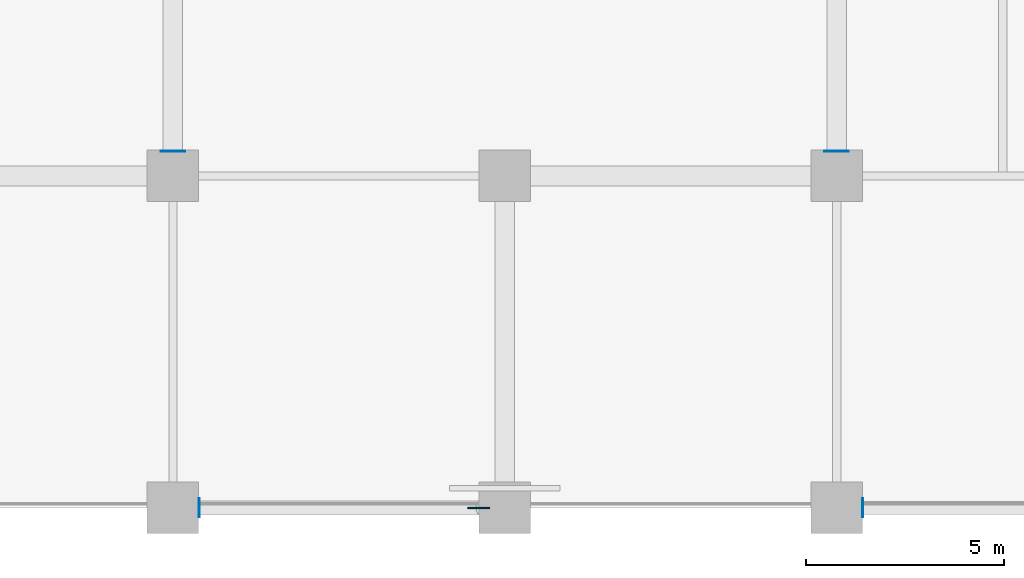
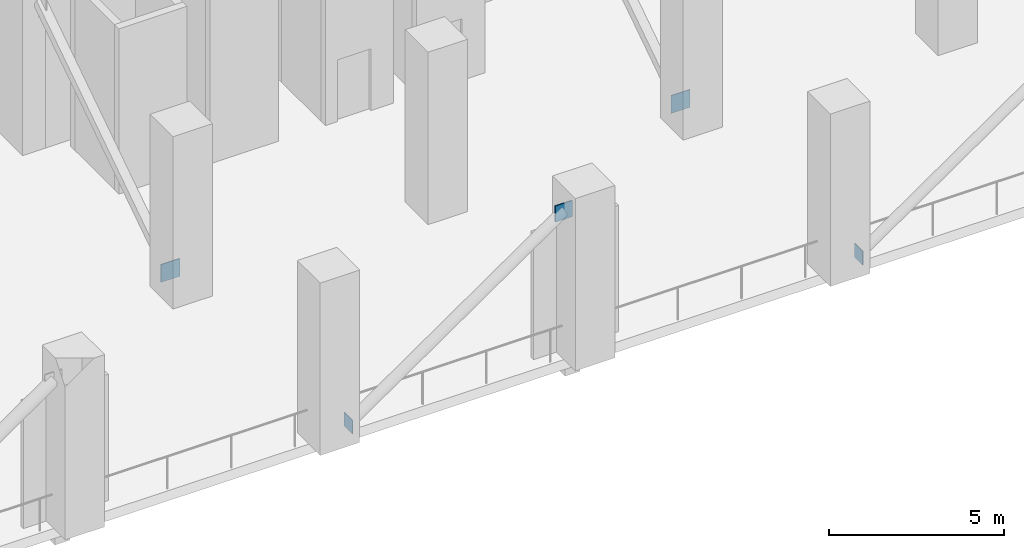
# One storey, part 7 of 19: 5 plates.
"""IFC4 building model written with IfcOpenShell, lengths in metres."""

from ifc_helpers import new_model, si_unit, direction, frame, origin, origin_2d, place, context, subcontext, project, spatial, rectangle, extrude, material, layer, layer_set, type_object, element, save


model = new_model("IFC4")

# Units and contexts
model_context = context("Model", 3, precision=1e-05, world=origin(), true_north=direction((0.0, 1.0)))
body_context = subcontext(model_context, "Body", "Model", "MODEL_VIEW")
ifc_project = project(units=[si_unit("LENGTHUNIT", "METRE"), si_unit("AREAUNIT", "SQUARE_METRE"), si_unit("VOLUMEUNIT", "CUBIC_METRE"), si_unit("PLANEANGLEUNIT", "RADIAN"), si_unit("MASSUNIT", "GRAM", prefix="KILO")], contexts=[model_context])

# Site, building, storey
site_placement = place(None, origin())
site = spatial("IfcSite", under=ifc_project, at=site_placement, CompositionType="ELEMENT")
building_placement = place(site_placement, origin())
building = spatial("IfcBuilding", under=site, at=building_placement, Name="Koriwani Terraces Tower", CompositionType="ELEMENT")
storey_placement = place(building_placement, frame((0.0, 0.0, 94.0)))
storey = spatial("IfcBuildingStorey", under=building, at=storey_placement, Name="L22", CompositionType="ELEMENT", Elevation=94.0)

# Plates
ifc_material = material(Name="Steel ASTM A572 Grade 50", Category="steel")
ifc_layer_1 = layer(ifc_material, 0.02490234375, Name="Steel ASTM A572 Grade 50")
ifc_layer_set_1 = layer_set([ifc_layer_1], Name="Steel ASTM A572 Grade 50")
plate_type_1 = type_object("IfcPlateType", Name="STEEL_CAP_PLATE_25", PredefinedType="USERDEFINED", material=ifc_layer_set_1)
for number, where, z_axis, x_axis, name in (
    (1, (42.0, 9.030029296875, 0.0400390625), (0.0, 0.0, 1.0), (0.0, 1.0, 0.0), "Outrigger truss hollow end cap plate L22-OE-S1"),
    (2, (58.800048828125, 9.030029296875, 0.0400390625), (0.0, 0.0, 1.0), (0.0, 1.0, 0.0), "Outrigger truss hollow end cap plate L22-OE-S2"),
):
    element("IfcPlate", number, at=place(storey_placement, frame(where, z_axis=z_axis, x_axis=x_axis)), inside=storey, type_object=plate_type_1, Name=name, ObjectType="FLANGE_PLATE", PredefinedType="USERDEFINED", context=body_context, shape_type="SweptSolid", body=[
        extrude(rectangle(XDim=0.02490234375, YDim=0.6201171875, at=origin_2d()), origin(), (0.0, 0.0, 1.0), 0.6201171875),
    ])
for number, where, z_axis, x_axis, name in (
    (3, (42.662841796875, 0.0, 0.03271484375), (0.0, 0.0, 1.0), (1.0, 0.0, 0.0), "Brace End Cap Plate BT-L22-BS3"),
    (4, (59.462890625, 0.0, 0.03271484375), (0.0, 0.0, 1.0), (1.0, 0.0, 0.0), "Brace End Cap Plate BT-L22-BS4"),
):
    element("IfcPlate", number, at=place(storey_placement, frame(where, z_axis=z_axis, x_axis=x_axis)), inside=storey, type_object=plate_type_1, Name=name, ObjectType="FLANGE_PLATE", PredefinedType="USERDEFINED", context=body_context, shape_type="SweptSolid", body=[
        extrude(rectangle(XDim=0.02490234375, YDim=0.47998046875, at=origin_2d()), origin(), (0.0, 0.0, 1.0), 0.47998046875),
    ])
ifc_layer_2 = layer(ifc_material, 0.0400390625, Name="Steel ASTM A572 Grade 50")
ifc_layer_set_2 = layer_set([ifc_layer_2], Name="Steel ASTM A572 Grade 50")
plate_type_2 = type_object("IfcPlateType", Name="STEEL_GUSSET_PLATE_40", PredefinedType="USERDEFINED", material=ifc_layer_set_2)
plate_placement = place(storey_placement, frame((49.737060546875, 0.0, 4.897216796875), z_axis=(0.0, 0.0, 1.0), x_axis=(1.0, 0.0, 0.0)))
element("IfcPlate", 5, at=plate_placement, inside=storey, type_object=plate_type_2, Name="Brace Node Gusset Plate BT-L22-BS3", ObjectType="GUSSET_PLATE", PredefinedType="USERDEFINED", context=body_context, shape_type="SweptSolid", body=[
    extrude(rectangle(XDim=0.56005859375, YDim=0.0400390625, at=origin_2d()), origin(), (0.0, 0.0, 1.0), 0.56005859375),
])

save(model, "model.ifc")
